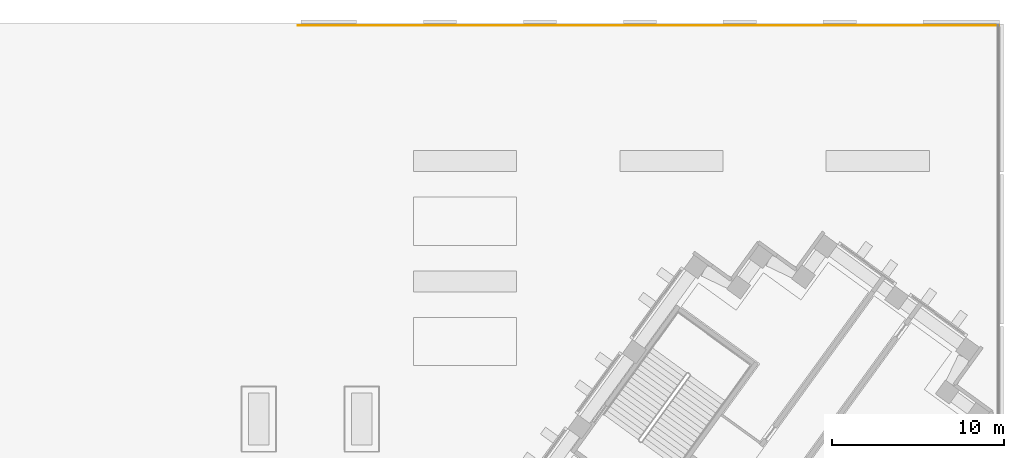
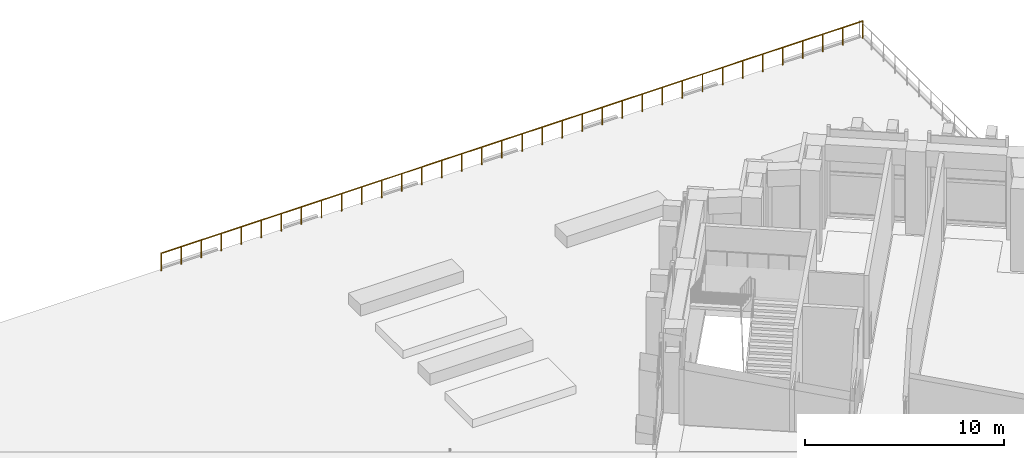
# One storey, part 25 of 25: 1 railing.
"""IFC4 building model written with IfcOpenShell, lengths in metres."""

from ifc_helpers import new_model, si_unit, direction, frame, origin, origin_2d, place, context, subcontext, project, spatial, circle, extrude, material, type_object, element, save


model = new_model("IFC4")

# Units and contexts
model_context = context("Model", 3, precision=1e-05, world=origin(), true_north=direction((0.0, 1.0)))
body_context = subcontext(model_context, "Body", "Model", "MODEL_VIEW")
ifc_project = project(units=[si_unit("LENGTHUNIT", "METRE"), si_unit("AREAUNIT", "SQUARE_METRE"), si_unit("VOLUMEUNIT", "CUBIC_METRE"), si_unit("PLANEANGLEUNIT", "RADIAN"), si_unit("MASSUNIT", "GRAM", prefix="KILO")], contexts=[model_context])

# Site, building, storey
site_placement = place(None, origin())
site = spatial("IfcSite", under=ifc_project, at=site_placement, CompositionType="ELEMENT")
building_placement = place(site_placement, origin())
building = spatial("IfcBuilding", under=site, at=building_placement, Name="Quipu Civic Tower", CompositionType="ELEMENT")
storey_placement = place(building_placement, frame((0.0, 0.0, 6.0)))
storey = spatial("IfcBuildingStorey", under=building, at=storey_placement, Name="L01", CompositionType="ELEMENT", Elevation=6.0)

# Railing
ifc_material = material(Name="Steel S275", Category="steel")
railing_type = type_object("IfcRailingType", Name="Deck balustrade G2", PredefinedType="BALUSTRADE", material=ifc_material)
railing_placement = place(storey_placement, frame((55.114501953125, 55.8798828125, 0.0)))
element("IfcRailing", 1, at=railing_placement, inside=storey, type_object=railing_type, Name="Deck balustrade 2", PredefinedType="BALUSTRADE", context=body_context, shape_type="SweptSolid", body=[
    extrude(circle(Radius=0.02490234375, at=origin_2d()), frame((0.0, 0.0, 1.0751953125), z_axis=(-1.0, 0.0, 0.0), x_axis=(0.0, -1.0, 0.0)), (0.0, 0.0, 1.0), 40.814453125),
    extrude(circle(Radius=0.02490234375, at=origin_2d()), origin(), (0.0, 0.0, 1.0), 1.050048828125),
    extrude(circle(Radius=0.02490234375, at=origin_2d()), frame((-1.166015625, 0.0, 0.0)), (0.0, 0.0, 1.0), 1.050048828125),
    extrude(circle(Radius=0.02490234375, at=origin_2d()), frame((-2.332275390625, 0.0, 0.0)), (0.0, 0.0, 1.0), 1.050048828125),
    extrude(circle(Radius=0.02490234375, at=origin_2d()), frame((-3.498291015625, 0.0, 0.0)), (0.0, 0.0, 1.0), 1.050048828125),
    extrude(circle(Radius=0.02490234375, at=origin_2d()), frame((-4.66455078125, 0.0, 0.0)), (0.0, 0.0, 1.0), 1.050048828125),
    extrude(circle(Radius=0.02490234375, at=origin_2d()), frame((-5.83056640625, 0.0, 0.0)), (0.0, 0.0, 1.0), 1.050048828125),
    extrude(circle(Radius=0.02490234375, at=origin_2d()), frame((-6.996826171875, 0.0, 0.0)), (0.0, 0.0, 1.0), 1.050048828125),
    extrude(circle(Radius=0.02490234375, at=origin_2d()), frame((-8.162841796875, 0.0, 0.0)), (0.0, 0.0, 1.0), 1.050048828125),
    extrude(circle(Radius=0.02490234375, at=origin_2d()), frame((-9.3291015625, 0.0, 0.0)), (0.0, 0.0, 1.0), 1.050048828125),
    extrude(circle(Radius=0.02490234375, at=origin_2d()), frame((-10.4951171875, 0.0, 0.0)), (0.0, 0.0, 1.0), 1.050048828125),
    extrude(circle(Radius=0.02490234375, at=origin_2d()), frame((-11.661376953125, 0.0, 0.0)), (0.0, 0.0, 1.0), 1.050048828125),
    extrude(circle(Radius=0.02490234375, at=origin_2d()), frame((-12.827392578125, 0.0, 0.0)), (0.0, 0.0, 1.0), 1.050048828125),
    extrude(circle(Radius=0.02490234375, at=origin_2d()), frame((-13.993408203125, 0.0, 0.0)), (0.0, 0.0, 1.0), 1.050048828125),
    extrude(circle(Radius=0.02490234375, at=origin_2d()), frame((-15.15966796875, 0.0, 0.0)), (0.0, 0.0, 1.0), 1.050048828125),
    extrude(circle(Radius=0.02490234375, at=origin_2d()), frame((-16.32568359375, 0.0, 0.0)), (0.0, 0.0, 1.0), 1.050048828125),
    extrude(circle(Radius=0.02490234375, at=origin_2d()), frame((-17.491943359375, 0.0, 0.0)), (0.0, 0.0, 1.0), 1.050048828125),
    extrude(circle(Radius=0.02490234375, at=origin_2d()), frame((-18.657958984375, 0.0, 0.0)), (0.0, 0.0, 1.0), 1.050048828125),
    extrude(circle(Radius=0.02490234375, at=origin_2d()), frame((-19.82421875, 0.0, 0.0)), (0.0, 0.0, 1.0), 1.050048828125),
    extrude(circle(Radius=0.02490234375, at=origin_2d()), frame((-20.990234375, 0.0, 0.0)), (0.0, 0.0, 1.0), 1.050048828125),
    extrude(circle(Radius=0.02490234375, at=origin_2d()), frame((-22.156494140625, 0.0, 0.0)), (0.0, 0.0, 1.0), 1.050048828125),
    extrude(circle(Radius=0.02490234375, at=origin_2d()), frame((-23.322509765625, 0.0, 0.0)), (0.0, 0.0, 1.0), 1.050048828125),
    extrude(circle(Radius=0.02490234375, at=origin_2d()), frame((-24.48876953125, 0.0, 0.0)), (0.0, 0.0, 1.0), 1.050048828125),
    extrude(circle(Radius=0.02490234375, at=origin_2d()), frame((-25.65478515625, 0.0, 0.0)), (0.0, 0.0, 1.0), 1.050048828125),
    extrude(circle(Radius=0.02490234375, at=origin_2d()), frame((-26.821044921875, 0.0, 0.0)), (0.0, 0.0, 1.0), 1.050048828125),
    extrude(circle(Radius=0.02490234375, at=origin_2d()), frame((-27.987060546875, 0.0, 0.0)), (0.0, 0.0, 1.0), 1.050048828125),
    extrude(circle(Radius=0.02490234375, at=origin_2d()), frame((-29.153076171875, 0.0, 0.0)), (0.0, 0.0, 1.0), 1.050048828125),
    extrude(circle(Radius=0.02490234375, at=origin_2d()), frame((-30.3193359375, 0.0, 0.0)), (0.0, 0.0, 1.0), 1.050048828125),
    extrude(circle(Radius=0.02490234375, at=origin_2d()), frame((-31.4853515625, 0.0, 0.0)), (0.0, 0.0, 1.0), 1.050048828125),
    extrude(circle(Radius=0.02490234375, at=origin_2d()), frame((-32.651611328125, 0.0, 0.0)), (0.0, 0.0, 1.0), 1.050048828125),
    extrude(circle(Radius=0.02490234375, at=origin_2d()), frame((-33.817626953125, 0.0, 0.0)), (0.0, 0.0, 1.0), 1.050048828125),
    extrude(circle(Radius=0.02490234375, at=origin_2d()), frame((-34.98388671875, 0.0, 0.0)), (0.0, 0.0, 1.0), 1.050048828125),
    extrude(circle(Radius=0.02490234375, at=origin_2d()), frame((-36.14990234375, 0.0, 0.0)), (0.0, 0.0, 1.0), 1.050048828125),
    extrude(circle(Radius=0.02490234375, at=origin_2d()), frame((-37.316162109375, 0.0, 0.0)), (0.0, 0.0, 1.0), 1.050048828125),
    extrude(circle(Radius=0.02490234375, at=origin_2d()), frame((-38.482177734375, 0.0, 0.0)), (0.0, 0.0, 1.0), 1.050048828125),
    extrude(circle(Radius=0.02490234375, at=origin_2d()), frame((-39.6484375, 0.0, 0.0)), (0.0, 0.0, 1.0), 1.050048828125),
    extrude(circle(Radius=0.02490234375, at=origin_2d()), frame((-40.814453125, 0.0, 0.0)), (0.0, 0.0, 1.0), 1.050048828125),
])

save(model, "model.ifc")
